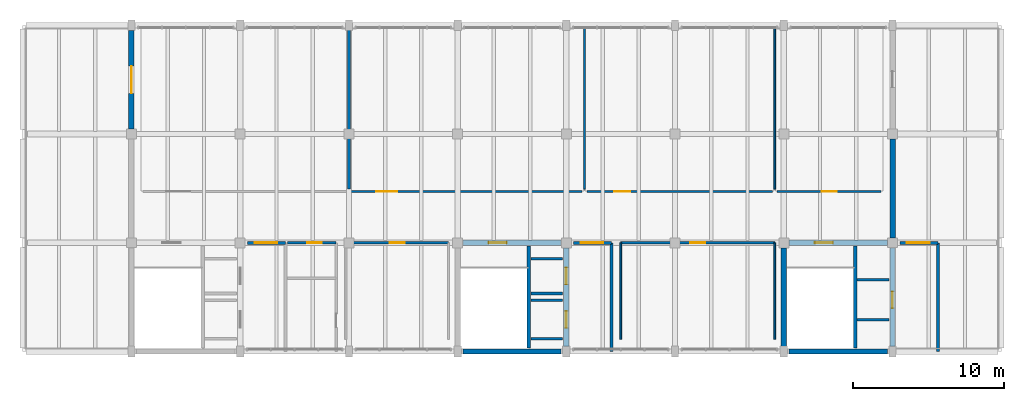
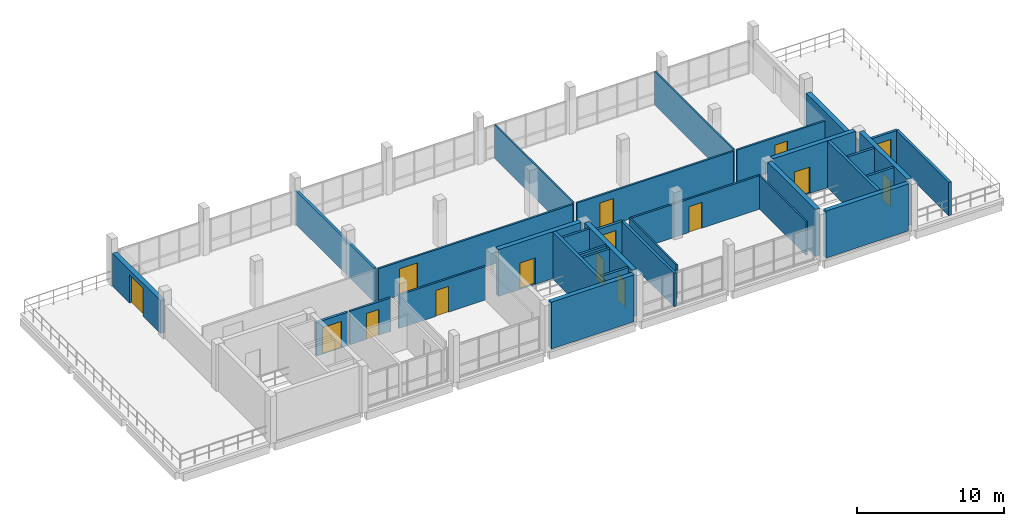
# One storey, part 8 of 10: 33 walls, 15 doors, 15 openings.
"""IFC4 building model written with IfcOpenShell, lengths in metres."""

from ifc_helpers import new_model, si_unit, direction, frame, frame_2d, origin, place, context, subcontext, project, spatial, rectangle, extrude, material, layer, layer_set, type_object, element, fill, save


model = new_model("IFC4")

# Units and contexts
model_context = context("Model", 3, precision=1e-05, world=origin(), true_north=direction((0.0, 1.0)))
body_context = subcontext(model_context, "Body", "Model", "MODEL_VIEW")
ifc_project = project(units=[si_unit("LENGTHUNIT", "METRE"), si_unit("AREAUNIT", "SQUARE_METRE"), si_unit("VOLUMEUNIT", "CUBIC_METRE"), si_unit("PLANEANGLEUNIT", "RADIAN"), si_unit("MASSUNIT", "GRAM", prefix="KILO")], contexts=[model_context])

# Site, building, storey
site_placement = place(None, origin())
site = spatial("IfcSite", under=ifc_project, at=site_placement, CompositionType="ELEMENT")
building_placement = place(site_placement, origin())
building = spatial("IfcBuilding", under=site, at=building_placement, Name="Qiaolan Assembly House", CompositionType="ELEMENT")
storey_placement = place(building_placement, frame((0.0, 0.0, 30.300048828125)))
storey = spatial("IfcBuildingStorey", under=building, at=storey_placement, Name="L07", CompositionType="ELEMENT", Elevation=30.300048828125)

# Wall
ifc_material_1 = material(Name="Concrete C40/50", Category="concrete")
ifc_layer_1 = layer(ifc_material_1, 0.35009765625)
ifc_layer_set_1 = layer_set([ifc_layer_1], Name="Concrete C40/50")
wall_type_1 = type_object("IfcWallType", Name="WAL-CORE-350", PredefinedType="SHEAR", material=ifc_layer_set_1)
wall_1_placement = place(storey_placement, frame((65.14990234375, 93.60009765625, 0.0), z_axis=(0.0, 0.0, 1.0), x_axis=(1.0, 0.0, 0.0)))
element("IfcWall", 1, at=wall_1_placement, inside=storey, type_object=wall_type_1, Name="CW-350 shear core wall CORE-B S L07", PredefinedType="SHEAR", context=body_context, shape_type="SweptSolid", body=[
    extrude(rectangle(XDim=6.5, YDim=0.35009765625, at=frame_2d((3.25, 0.0))), origin(), (0.0, 0.0, 1.0), 3.89990234375),
])

# Wall, openings, doors
wall_2_placement = place(storey_placement, frame((72.0, 93.949951171875, 0.0), z_axis=(0.0, 0.0, 1.0), x_axis=(0.0, 1.0, 0.0)))
wall_2 = element("IfcWall", 2, at=wall_2_placement, inside=storey, type_object=wall_type_1, Name="CW-350 shear core wall CORE-B E L07", PredefinedType="SHEAR", context=body_context, shape_type="SweptSolid", body=[
    extrude(rectangle(XDim=6.5, YDim=0.35009765625, at=frame_2d((3.25, 0.0))), origin(), (0.0, 0.0, 1.0), 3.89990234375),
])
opening_1_placement = place(wall_2_placement, frame((1.22509765625, 0.0, 0.0)))
opening_1 = element("IfcOpeningElement", 3, at=opening_1_placement, cuts=wall_2, Name="Opening LD-027", PredefinedType="OPENING", context=body_context, shape_type="SweptSolid", body=[
    extrude(rectangle(XDim=1.10009765625, YDim=2.199951171875, at=frame_2d((0.550048828125, 1.10009765625))), frame((0.0, 0.18505859375, 0.0), z_axis=(0.0, -1.0, 0.0), x_axis=(1.0, 0.0, 0.0)), (0.0, 0.0, 1.0), 0.3701171875),
])
opening_2_placement = place(wall_2_placement, frame((4.10009765625, 0.0, 0.0)))
opening_2 = element("IfcOpeningElement", 4, at=opening_2_placement, cuts=wall_2, Name="Opening LD-036", PredefinedType="OPENING", context=body_context, shape_type="SweptSolid", body=[
    extrude(rectangle(XDim=1.10009765625, YDim=2.199951171875, at=frame_2d((0.550048828125, 1.10009765625))), frame((0.0, 0.18505859375, 0.0), z_axis=(0.0, -1.0, 0.0), x_axis=(1.0, 0.0, 0.0)), (0.0, 0.0, 1.0), 0.3701171875),
])
ifc_material_2 = material(Name="Anodised bronze aluminium", Category="aluminium")
door_type_1 = type_object("IfcDoorType", Name="DOR-LIFT-LD1100", OperationType="SLIDING_TO_LEFT", PredefinedType="DOOR", material=ifc_material_2)
door_1_placement = place(opening_1_placement, origin())
door_1 = element("IfcDoor", 5, at=door_1_placement, inside=storey, type_object=door_type_1, Name="Lift landing door LD-027 (LF-03 L07)", OperationType="SLIDING_TO_LEFT", OverallHeight=2.199951171875, OverallWidth=1.10009765625, PredefinedType="DOOR", context=body_context, shape_type="SweptSolid", body=[
    extrude(rectangle(XDim=1.10009765625, YDim=2.199951171875, at=frame_2d((0.550048828125, 1.10009765625))), frame((0.0, 0.02490234375, 0.0), z_axis=(0.0, -1.0, 0.0), x_axis=(1.0, 0.0, 0.0)), (0.0, 0.0, 1.0), 0.050048828125),
])
fill(opening_1, door_1)
door_2_placement = place(opening_2_placement, origin())
door_2 = element("IfcDoor", 6, at=door_2_placement, inside=storey, type_object=door_type_1, Name="Lift landing door LD-036 (LF-04 L07)", OperationType="SLIDING_TO_LEFT", OverallHeight=2.199951171875, OverallWidth=1.10009765625, PredefinedType="DOOR", context=body_context, shape_type="SweptSolid", body=[
    extrude(rectangle(XDim=1.10009765625, YDim=2.199951171875, at=frame_2d((0.550048828125, 1.10009765625))), frame((0.0, 0.02490234375, 0.0), z_axis=(0.0, -1.0, 0.0), x_axis=(1.0, 0.0, 0.0)), (0.0, 0.0, 1.0), 0.050048828125),
])
fill(opening_2, door_2)

# Wall, opening, door
wall_3_placement = place(storey_placement, frame((71.64990234375, 100.800048828125, 0.0), z_axis=(0.0, 0.0, 1.0), x_axis=(-1.0, 0.0, 0.0)))
wall_3 = element("IfcWall", 7, at=wall_3_placement, inside=storey, type_object=wall_type_1, Name="CW-350 shear core wall CORE-B N L07", PredefinedType="SHEAR", context=body_context, shape_type="SweptSolid", body=[
    extrude(rectangle(XDim=6.5, YDim=0.35009765625, at=frame_2d((3.25, 0.0))), origin(), (0.0, 0.0, 1.0), 3.89990234375),
])
opening_3_placement = place(wall_3_placement, frame((3.60009765625, 0.0, 0.0)))
opening_3 = element("IfcOpeningElement", 8, at=opening_3_placement, cuts=wall_3, Name="Opening FD-051", PredefinedType="OPENING", context=body_context, shape_type="SweptSolid", body=[
    extrude(rectangle(XDim=1.199951171875, YDim=2.199951171875, at=frame_2d((0.60009765625, 1.10009765625))), frame((0.0, 0.18505859375, 0.0), z_axis=(0.0, -1.0, 0.0), x_axis=(1.0, 0.0, 0.0)), (0.0, 0.0, 1.0), 0.3701171875),
])
ifc_material_3 = material(Name="Steel Q355B", Category="steel")
door_type_2 = type_object("IfcDoorType", Name="DOR-FIRE-FD90-1200", OperationType="NOTDEFINED", PredefinedType="DOOR", material=ifc_material_3)
door_3_placement = place(opening_3_placement, frame((1.199951171875, 0.0, 0.0), z_axis=(0.0, 0.0, 1.0), x_axis=(-1.0, 0.0, 0.0)))
door_3 = element("IfcDoor", 9, at=door_3_placement, inside=storey, type_object=door_type_2, Name="Stairwell fire door FD-051 (CORE-B L07)", OperationType="SINGLE_SWING_LEFT", OverallHeight=2.199951171875, OverallWidth=1.199951171875, PredefinedType="DOOR", context=body_context, shape_type="SweptSolid", body=[
    extrude(rectangle(XDim=1.199951171875, YDim=2.199951171875, at=frame_2d((0.60009765625, 1.10009765625))), frame((0.0, 0.02490234375, 0.0), z_axis=(0.0, -1.0, 0.0), x_axis=(1.0, 0.0, 0.0)), (0.0, 0.0, 1.0), 0.050048828125),
])
fill(opening_3, door_3)

# Wall
wall_4_placement = place(storey_placement, frame((86.75, 93.60009765625, 0.0), z_axis=(0.0, 0.0, 1.0), x_axis=(1.0, 0.0, 0.0)))
element("IfcWall", 10, at=wall_4_placement, inside=storey, type_object=wall_type_1, Name="CW-350 shear core wall CORE-G S L07", PredefinedType="SHEAR", context=body_context, shape_type="SweptSolid", body=[
    extrude(rectangle(XDim=6.5, YDim=0.35009765625, at=frame_2d((3.25, 0.0))), origin(), (0.0, 0.0, 1.0), 3.89990234375),
])

# Wall, opening, door
wall_5_placement = place(storey_placement, frame((93.60009765625, 93.949951171875, 0.0), z_axis=(0.0, 0.0, 1.0), x_axis=(0.0, 1.0, 0.0)))
wall_5 = element("IfcWall", 11, at=wall_5_placement, inside=storey, type_object=wall_type_1, Name="CW-350 shear core wall CORE-G E L07", PredefinedType="SHEAR", context=body_context, shape_type="SweptSolid", body=[
    extrude(rectangle(XDim=6.5, YDim=0.35009765625, at=frame_2d((3.25, 0.0))), origin(), (0.0, 0.0, 1.0), 3.89990234375),
])
opening_4_placement = place(wall_5_placement, frame((2.52490234375, 0.0, 0.0)))
opening_4 = element("IfcOpeningElement", 12, at=opening_4_placement, cuts=wall_5, Name="Opening LD-045", PredefinedType="OPENING", context=body_context, shape_type="SweptSolid", body=[
    extrude(rectangle(XDim=1.10009765625, YDim=2.199951171875, at=frame_2d((0.550048828125, 1.10009765625))), frame((0.0, 0.18505859375, 0.0), z_axis=(0.0, -1.0, 0.0), x_axis=(1.0, 0.0, 0.0)), (0.0, 0.0, 1.0), 0.3701171875),
])
door_4_placement = place(opening_4_placement, origin())
door_4 = element("IfcDoor", 13, at=door_4_placement, inside=storey, type_object=door_type_1, Name="Lift landing door LD-045 (LF-05 L07)", OperationType="SLIDING_TO_LEFT", OverallHeight=2.199951171875, OverallWidth=1.10009765625, PredefinedType="DOOR", context=body_context, shape_type="SweptSolid", body=[
    extrude(rectangle(XDim=1.10009765625, YDim=2.199951171875, at=frame_2d((0.550048828125, 1.10009765625))), frame((0.0, 0.02490234375, 0.0), z_axis=(0.0, -1.0, 0.0), x_axis=(1.0, 0.0, 0.0)), (0.0, 0.0, 1.0), 0.050048828125),
])
fill(opening_4, door_4)

wall_6_placement = place(storey_placement, frame((93.25, 100.800048828125, 0.0), z_axis=(0.0, 0.0, 1.0), x_axis=(-1.0, 0.0, 0.0)))
wall_6 = element("IfcWall", 14, at=wall_6_placement, inside=storey, type_object=wall_type_1, Name="CW-350 shear core wall CORE-G N L07", PredefinedType="SHEAR", context=body_context, shape_type="SweptSolid", body=[
    extrude(rectangle(XDim=6.5, YDim=0.35009765625, at=frame_2d((3.25, 0.0))), origin(), (0.0, 0.0, 1.0), 3.89990234375),
])
opening_5_placement = place(wall_6_placement, frame((3.60009765625, 0.0, 0.0)))
opening_5 = element("IfcOpeningElement", 15, at=opening_5_placement, cuts=wall_6, Name="Opening FD-069", PredefinedType="OPENING", context=body_context, shape_type="SweptSolid", body=[
    extrude(rectangle(XDim=1.199951171875, YDim=2.199951171875, at=frame_2d((0.60009765625, 1.10009765625))), frame((0.0, 0.18505859375, 0.0), z_axis=(0.0, -1.0, 0.0), x_axis=(1.0, 0.0, 0.0)), (0.0, 0.0, 1.0), 0.3701171875),
])
door_5_placement = place(opening_5_placement, frame((1.199951171875, 0.0, 0.0), z_axis=(0.0, 0.0, 1.0), x_axis=(-1.0, 0.0, 0.0)))
door_5 = element("IfcDoor", 16, at=door_5_placement, inside=storey, type_object=door_type_2, Name="Stairwell fire door FD-069 (CORE-G L07)", OperationType="SINGLE_SWING_RIGHT", OverallHeight=2.199951171875, OverallWidth=1.199951171875, PredefinedType="DOOR", context=body_context, shape_type="SweptSolid", body=[
    extrude(rectangle(XDim=1.199951171875, YDim=2.199951171875, at=frame_2d((0.60009765625, 1.10009765625))), frame((0.0, 0.02490234375, 0.0), z_axis=(0.0, -1.0, 0.0), x_axis=(1.0, 0.0, 0.0)), (0.0, 0.0, 1.0), 0.050048828125),
])
fill(opening_5, door_5)

# Walls
wall_7_placement = place(storey_placement, frame((86.39990234375, 100.449951171875, 0.0), z_axis=(0.0, 0.0, 1.0), x_axis=(0.0, -1.0, 0.0)))
element("IfcWall", 17, at=wall_7_placement, inside=storey, type_object=wall_type_1, Name="CW-350 shear core wall CORE-G W L07", PredefinedType="SHEAR", context=body_context, shape_type="SweptSolid", body=[
    extrude(rectangle(XDim=6.5, YDim=0.35009765625, at=frame_2d((3.25, 0.0))), origin(), (0.0, 0.0, 1.0), 3.89990234375),
])
ifc_material_4 = material(Name="Honed pale limestone", Category="masonry")
ifc_layer_2 = layer(ifc_material_4, 0.360107421875)
ifc_layer_set_2 = layer_set([ifc_layer_2], Name="Honed pale limestone")
wall_type_2 = type_object("IfcWallType", Name="WAL-EXT-LIMESTONE-360", PredefinedType="SOLIDWALL", material=ifc_layer_set_2)
wall_8_placement = place(storey_placement, frame((93.60009765625, 107.677001953125, 0.0), z_axis=(0.0, 0.0, 1.0), x_axis=(0.0, -1.0, 0.0)))
element("IfcWall", 18, at=wall_8_placement, inside=storey, type_object=wall_type_2, Name="L07 Attic East terrace wall 2", PredefinedType="SOLIDWALL", context=body_context, shape_type="SweptSolid", body=[
    extrude(rectangle(XDim=6.553955078125, YDim=0.360107421875, at=frame_2d((3.27685546875, 0.0))), origin(), (0.0, 0.0, 1.0), 2.739990234375),
])

# Wall, opening, door
wall_9_placement = place(storey_placement, frame((43.199951171875, 108.322998046875, 0.0), z_axis=(0.0, 0.0, 1.0), x_axis=(0.0, 1.0, 0.0)))
wall_9 = element("IfcWall", 19, at=wall_9_placement, inside=storey, type_object=wall_type_2, Name="L07 Attic West terrace wall 3", PredefinedType="SOLIDWALL", context=body_context, shape_type="SweptSolid", body=[
    extrude(rectangle(XDim=6.52392578125, YDim=0.360107421875, at=frame_2d((3.261962890625, 0.0))), origin(), (0.0, 0.0, 1.0), 2.739990234375),
])
opening_6_placement = place(wall_9_placement, frame((2.376953125, 0.0, 0.0)))
opening_6 = element("IfcOpeningElement", 20, at=opening_6_placement, cuts=wall_9, Name="Opening TD-009", PredefinedType="OPENING", context=body_context, shape_type="SweptSolid", body=[
    extrude(rectangle(XDim=1.800048828125, YDim=2.35009765625, at=frame_2d((0.89990234375, 1.175048828125))), frame((0.0, 0.18994140625, 0.0), z_axis=(0.0, -1.0, 0.0), x_axis=(1.0, 0.0, 0.0)), (0.0, 0.0, 1.0), 0.380126953125),
])
door_type_3 = type_object("IfcDoorType", Name="DOR-TERR-GLZ-1800", OperationType="DOUBLE_DOOR_SINGLE_SWING", PredefinedType="DOOR", material=ifc_material_2)
door_6_placement = place(opening_6_placement, frame((1.800048828125, 0.0, 0.0), z_axis=(0.0, 0.0, 1.0), x_axis=(-1.0, 0.0, 0.0)))
door_6 = element("IfcDoor", 21, at=door_6_placement, inside=storey, type_object=door_type_3, Name="L07 West Terrace door TD-009", OperationType="DOUBLE_DOOR_SINGLE_SWING", OverallHeight=2.35009765625, OverallWidth=1.800048828125, PredefinedType="DOOR", context=body_context, shape_type="SweptSolid", body=[
    extrude(rectangle(XDim=1.800048828125, YDim=2.35009765625, at=frame_2d((0.89990234375, 1.175048828125))), frame((0.0, 0.02490234375, 0.0), z_axis=(0.0, -1.0, 0.0), x_axis=(1.0, 0.0, 0.0)), (0.0, 0.0, 1.0), 0.050048828125),
])
fill(opening_6, door_6)

ifc_material_5 = material(Name="Concrete C35/45", Category="concrete")
ifc_layer_3 = layer(ifc_material_5, 0.199951171875)
ifc_layer_set_3 = layer_set([ifc_layer_3], Name="Concrete C35/45")
wall_type_3 = type_object("IfcWallType", Name="WAL-LOBBY-200", PredefinedType="PARTITIONING", material=ifc_layer_set_3)
wall_10_placement = place(storey_placement, frame((53.39990234375, 100.800048828125, 0.0), z_axis=(0.0, 0.0, 1.0), x_axis=(-1.0, 0.0, 0.0)))
wall_10 = element("IfcWall", 22, at=wall_10_placement, inside=storey, type_object=wall_type_3, Name="Firefighting lift lobby north wall CORE-A L07", PredefinedType="PARTITIONING", context=body_context, shape_type="SweptSolid", body=[
    extrude(rectangle(XDim=2.52001953125, YDim=0.199951171875, at=frame_2d((1.260009765625, 0.0))), origin(), (0.0, 0.0, 1.0), 2.780029296875),
])
opening_7_placement = place(wall_10_placement, frame((0.550048828125, 0.0, 0.0)))
opening_7 = element("IfcOpeningElement", 23, at=opening_7_placement, cuts=wall_10, Name="Opening FD-032", PredefinedType="OPENING", context=body_context, shape_type="SweptSolid", body=[
    extrude(rectangle(XDim=1.5, YDim=2.199951171875, at=frame_2d((0.75, 1.10009765625))), frame((0.0, 0.10986328125, 0.0), z_axis=(0.0, -1.0, 0.0), x_axis=(1.0, 0.0, 0.0)), (0.0, 0.0, 1.0), 0.219970703125),
])
ifc_material_6 = material(Name="Acoustic oak panelling")
door_type_4 = type_object("IfcDoorType", Name="DOR-LOBBY-FD60-1500", OperationType="DOUBLE_DOOR_SINGLE_SWING", PredefinedType="DOOR", material=ifc_material_6)
door_7_placement = place(opening_7_placement, frame((1.5, 0.0, 0.0), z_axis=(0.0, 0.0, 1.0), x_axis=(-1.0, 0.0, 0.0)))
door_7 = element("IfcDoor", 24, at=door_7_placement, inside=storey, type_object=door_type_4, Name="Lobby corridor fire door FD-032", OperationType="DOUBLE_DOOR_SINGLE_SWING", OverallHeight=2.199951171875, OverallWidth=1.5, PredefinedType="DOOR", context=body_context, shape_type="SweptSolid", body=[
    extrude(rectangle(XDim=1.5, YDim=2.199951171875, at=frame_2d((0.75, 1.10009765625))), frame((0.0, 0.02490234375, 0.0), z_axis=(0.0, -1.0, 0.0), x_axis=(1.0, 0.0, 0.0)), (0.0, 0.0, 1.0), 0.050048828125),
])
fill(opening_7, door_7)

# Wall
wall_11_placement = place(storey_placement, frame((75.0, 93.60009765625, 0.0), z_axis=(0.0, 0.0, 1.0), x_axis=(0.0, 1.0, 0.0)))
element("IfcWall", 25, at=wall_11_placement, inside=storey, type_object=wall_type_3, Name="Firefighting lift lobby east wall CORE-B L07", PredefinedType="PARTITIONING", context=body_context, shape_type="SweptSolid", body=[
    extrude(rectangle(XDim=7.199951171875, YDim=0.199951171875, at=frame_2d((3.60009765625, 0.0))), origin(), (0.0, 0.0, 1.0), 2.780029296875),
])

# Wall, opening, door
wall_12_placement = place(storey_placement, frame((75.0, 100.800048828125, 0.0), z_axis=(0.0, 0.0, 1.0), x_axis=(-1.0, 0.0, 0.0)))
wall_12 = element("IfcWall", 26, at=wall_12_placement, inside=storey, type_object=wall_type_3, Name="Firefighting lift lobby north wall CORE-B L07", PredefinedType="PARTITIONING", context=body_context, shape_type="SweptSolid", body=[
    extrude(rectangle(XDim=2.52001953125, YDim=0.199951171875, at=frame_2d((1.260009765625, 0.0))), origin(), (0.0, 0.0, 1.0), 2.780029296875),
])
opening_8_placement = place(wall_12_placement, frame((0.550048828125, 0.0, 0.0)))
opening_8 = element("IfcOpeningElement", 27, at=opening_8_placement, cuts=wall_12, Name="Opening FD-052", PredefinedType="OPENING", context=body_context, shape_type="SweptSolid", body=[
    extrude(rectangle(XDim=1.5, YDim=2.199951171875, at=frame_2d((0.75, 1.10009765625))), frame((0.0, 0.10986328125, 0.0), z_axis=(0.0, -1.0, 0.0), x_axis=(1.0, 0.0, 0.0)), (0.0, 0.0, 1.0), 0.219970703125),
])
door_8_placement = place(opening_8_placement, frame((1.5, 0.0, 0.0), z_axis=(0.0, 0.0, 1.0), x_axis=(-1.0, 0.0, 0.0)))
door_8 = element("IfcDoor", 28, at=door_8_placement, inside=storey, type_object=door_type_4, Name="Lobby corridor fire door FD-052", OperationType="DOUBLE_DOOR_SINGLE_SWING", OverallHeight=2.199951171875, OverallWidth=1.5, PredefinedType="DOOR", context=body_context, shape_type="SweptSolid", body=[
    extrude(rectangle(XDim=1.5, YDim=2.199951171875, at=frame_2d((0.75, 1.10009765625))), frame((0.0, 0.02490234375, 0.0), z_axis=(0.0, -1.0, 0.0), x_axis=(1.0, 0.0, 0.0)), (0.0, 0.0, 1.0), 0.050048828125),
])
fill(opening_8, door_8)

# Wall
wall_13_placement = place(storey_placement, frame((96.60009765625, 93.60009765625, 0.0), z_axis=(0.0, 0.0, 1.0), x_axis=(0.0, 1.0, 0.0)))
element("IfcWall", 29, at=wall_13_placement, inside=storey, type_object=wall_type_3, Name="Firefighting lift lobby east wall CORE-G L07", PredefinedType="PARTITIONING", context=body_context, shape_type="SweptSolid", body=[
    extrude(rectangle(XDim=7.199951171875, YDim=0.199951171875, at=frame_2d((3.60009765625, 0.0))), origin(), (0.0, 0.0, 1.0), 2.780029296875),
])

# Wall, opening, door
wall_14_placement = place(storey_placement, frame((96.60009765625, 100.800048828125, 0.0), z_axis=(0.0, 0.0, 1.0), x_axis=(-1.0, 0.0, 0.0)))
wall_14 = element("IfcWall", 30, at=wall_14_placement, inside=storey, type_object=wall_type_3, Name="Firefighting lift lobby north wall CORE-G L07", PredefinedType="PARTITIONING", context=body_context, shape_type="SweptSolid", body=[
    extrude(rectangle(XDim=2.52001953125, YDim=0.199951171875, at=frame_2d((1.260009765625, 0.0))), origin(), (0.0, 0.0, 1.0), 2.780029296875),
])
opening_9_placement = place(wall_14_placement, frame((0.550048828125, 0.0, 0.0)))
opening_9 = element("IfcOpeningElement", 31, at=opening_9_placement, cuts=wall_14, Name="Opening FD-070", PredefinedType="OPENING", context=body_context, shape_type="SweptSolid", body=[
    extrude(rectangle(XDim=1.5, YDim=2.199951171875, at=frame_2d((0.75, 1.10009765625))), frame((0.0, 0.10986328125, 0.0), z_axis=(0.0, -1.0, 0.0), x_axis=(1.0, 0.0, 0.0)), (0.0, 0.0, 1.0), 0.219970703125),
])
door_9_placement = place(opening_9_placement, frame((1.5, 0.0, 0.0), z_axis=(0.0, 0.0, 1.0), x_axis=(-1.0, 0.0, 0.0)))
door_9 = element("IfcDoor", 32, at=door_9_placement, inside=storey, type_object=door_type_4, Name="Lobby corridor fire door FD-070", OperationType="DOUBLE_DOOR_SINGLE_SWING", OverallHeight=2.199951171875, OverallWidth=1.5, PredefinedType="DOOR", context=body_context, shape_type="SweptSolid", body=[
    extrude(rectangle(XDim=1.5, YDim=2.199951171875, at=frame_2d((0.75, 1.10009765625))), frame((0.0, 0.02490234375, 0.0), z_axis=(0.0, -1.0, 0.0), x_axis=(1.0, 0.0, 0.0)), (0.0, 0.0, 1.0), 0.050048828125),
])
fill(opening_9, door_9)

# Walls
ifc_material_7 = material(Name="Gypsum plasterboard partition")
ifc_layer_4 = layer(ifc_material_7, 0.1201171875)
ifc_layer_set_4 = layer_set([ifc_layer_4], Name="Gypsum plasterboard partition")
wall_type_4 = type_object("IfcWallType", Name="WAL-PART-120", PredefinedType="PARTITIONING", material=ifc_layer_set_4)
for number, where, z_axis, x_axis, name in (
    (33, (73.199951171875, 104.35009765625, 0.0), (0.0, 0.0, 1.0), (0.0, 1.0, 0.0), "Senior Secretariat & Chief Clerk Suite demising wall"),
    (34, (85.800048828125, 104.35009765625, 0.0), (0.0, 0.0, 1.0), (0.0, 1.0, 0.0), "Attic Terrace Hospitality Pantry demising wall"),
):
    element("IfcWall", number, at=place(storey_placement, frame(where, z_axis=z_axis, x_axis=x_axis)), inside=storey, type_object=wall_type_4, Name=name, PredefinedType="PARTITIONING", context=body_context, shape_type="SweptSolid", body=[
        extrude(rectangle(XDim=10.669921875, YDim=0.1201171875, at=frame_2d((5.3349609375, 0.0))), origin(), (0.0, 0.0, 1.0), 2.780029296875),
    ])
for number, where, z_axis, x_axis, name in (
    (35, (75.60009765625, 94.39990234375, 0.0), (0.0, 0.0, 1.0), (0.0, 1.0, 0.0), "Council Legal & Parliamentary Counsel Suite west wall"),
    (36, (85.800048828125, 100.800048828125, 0.0), (0.0, 0.0, 1.0), (0.0, -1.0, 0.0), "Council Legal & Parliamentary Counsel Suite east wall"),
):
    element("IfcWall", number, at=place(storey_placement, frame(where, z_axis=z_axis, x_axis=x_axis)), inside=storey, type_object=wall_type_4, Name=name, PredefinedType="PARTITIONING", context=body_context, shape_type="SweptSolid", body=[
        extrude(rectangle(XDim=6.400146484375, YDim=0.1201171875, at=frame_2d((3.2001953125, 0.0))), origin(), (0.0, 0.0, 1.0), 2.780029296875),
    ])

# Wall, opening, door
ifc_layer_5 = layer(ifc_material_7, 0.14990234375)
ifc_layer_set_5 = layer_set([ifc_layer_5], Name="Gypsum plasterboard partition")
wall_type_5 = type_object("IfcWallType", Name="WAL-PART-150", PredefinedType="PARTITIONING", material=ifc_layer_set_5)
wall_15_placement = place(storey_placement, frame((57.75, 104.199951171875, 0.0), z_axis=(0.0, 0.0, 1.0), x_axis=(1.0, 0.0, 0.0)))
wall_15 = element("IfcWall", 37, at=wall_15_placement, inside=storey, type_object=wall_type_5, Name="Civic Assembly Presidium Boardroom corridor wall", PredefinedType="PARTITIONING", context=body_context, shape_type="SweptSolid", body=[
    extrude(rectangle(XDim=15.300048828125, YDim=0.14990234375, at=frame_2d((7.64990234375, 0.0))), origin(), (0.0, 0.0, 1.0), 2.780029296875),
])
opening_10_placement = place(wall_15_placement, frame((1.64990234375, 0.0, 0.0)))
opening_10 = element("IfcOpeningElement", 38, at=opening_10_placement, cuts=wall_15, Name="Opening ND-230", PredefinedType="OPENING", context=body_context, shape_type="SweptSolid", body=[
    extrude(rectangle(XDim=1.39990234375, YDim=2.199951171875, at=frame_2d((0.699951171875, 1.10009765625))), frame((0.0, 0.0849609375, 0.0), z_axis=(0.0, -1.0, 0.0), x_axis=(1.0, 0.0, 0.0)), (0.0, 0.0, 1.0), 0.169921875),
])
door_type_5 = type_object("IfcDoorType", Name="DOR-ARCH-DBL-1400", OperationType="DOUBLE_DOOR_SINGLE_SWING", PredefinedType="DOOR", material=ifc_material_6)
door_10_placement = place(opening_10_placement, origin())
door_10 = element("IfcDoor", 39, at=door_10_placement, inside=storey, type_object=door_type_5, Name="Civic Assembly Presidium Boardroom door ND-230", OperationType="DOUBLE_DOOR_SINGLE_SWING", OverallHeight=2.199951171875, OverallWidth=1.39990234375, PredefinedType="DOOR", context=body_context, shape_type="SweptSolid", body=[
    extrude(rectangle(XDim=1.39990234375, YDim=2.199951171875, at=frame_2d((0.699951171875, 1.10009765625))), frame((0.0, 0.02490234375, 0.0), z_axis=(0.0, -1.0, 0.0), x_axis=(1.0, 0.0, 0.0)), (0.0, 0.0, 1.0), 0.050048828125),
])
fill(opening_10, door_10)

wall_16_placement = place(storey_placement, frame((73.35009765625, 104.199951171875, 0.0), z_axis=(0.0, 0.0, 1.0), x_axis=(1.0, 0.0, 0.0)))
wall_16 = element("IfcWall", 40, at=wall_16_placement, inside=storey, type_object=wall_type_5, Name="Senior Secretariat & Chief Clerk Suite corridor wall", PredefinedType="PARTITIONING", context=body_context, shape_type="SweptSolid", body=[
    extrude(rectangle(XDim=12.2998046875, YDim=0.14990234375, at=frame_2d((6.14990234375, 0.0))), origin(), (0.0, 0.0, 1.0), 2.780029296875),
])
opening_11_placement = place(wall_16_placement, frame((1.824951171875, 0.0, 0.0)))
opening_11 = element("IfcOpeningElement", 41, at=opening_11_placement, cuts=wall_16, Name="Opening ND-231", PredefinedType="OPENING", context=body_context, shape_type="SweptSolid", body=[
    extrude(rectangle(XDim=1.050048828125, YDim=2.14990234375, at=frame_2d((0.52490234375, 1.074951171875))), frame((0.0, 0.0849609375, 0.0), z_axis=(0.0, -1.0, 0.0), x_axis=(1.0, 0.0, 0.0)), (0.0, 0.0, 1.0), 0.169921875),
])
door_type_6 = type_object("IfcDoorType", Name="DOR-OFF-LRG-1050", OperationType="NOTDEFINED", PredefinedType="DOOR", material=ifc_material_6)
door_11_placement = place(opening_11_placement, origin())
door_11 = element("IfcDoor", 42, at=door_11_placement, inside=storey, type_object=door_type_6, Name="Senior Secretariat & Chief Clerk Suite door ND-231", OperationType="SINGLE_SWING_RIGHT", OverallHeight=2.14990234375, OverallWidth=1.050048828125, PredefinedType="DOOR", context=body_context, shape_type="SweptSolid", body=[
    extrude(rectangle(XDim=1.050048828125, YDim=2.14990234375, at=frame_2d((0.52490234375, 1.074951171875))), frame((0.0, 0.02490234375, 0.0), z_axis=(0.0, -1.0, 0.0), x_axis=(1.0, 0.0, 0.0)), (0.0, 0.0, 1.0), 0.050048828125),
])
fill(opening_11, door_11)

wall_17_placement = place(storey_placement, frame((85.949951171875, 104.199951171875, 0.0), z_axis=(0.0, 0.0, 1.0), x_axis=(1.0, 0.0, 0.0)))
wall_17 = element("IfcWall", 43, at=wall_17_placement, inside=storey, type_object=wall_type_5, Name="Attic Terrace Hospitality Pantry corridor wall", PredefinedType="PARTITIONING", context=body_context, shape_type="SweptSolid", body=[
    extrude(rectangle(XDim=6.900146484375, YDim=0.14990234375, at=frame_2d((3.4501953125, 0.0))), origin(), (0.0, 0.0, 1.0), 2.780029296875),
])
opening_12_placement = place(wall_17_placement, frame((2.949951171875, 0.0, 0.0)))
opening_12 = element("IfcOpeningElement", 44, at=opening_12_placement, cuts=wall_17, Name="Opening ND-232", PredefinedType="OPENING", context=body_context, shape_type="SweptSolid", body=[
    extrude(rectangle(XDim=1.0, YDim=2.14990234375, at=frame_2d((0.5, 1.074951171875))), frame((0.0, 0.0849609375, 0.0), z_axis=(0.0, -1.0, 0.0), x_axis=(1.0, 0.0, 0.0)), (0.0, 0.0, 1.0), 0.169921875),
])
door_type_7 = type_object("IfcDoorType", Name="DOR-OFF-SGL-1000", OperationType="NOTDEFINED", PredefinedType="DOOR", material=ifc_material_6)
door_12_placement = place(opening_12_placement, origin())
door_12 = element("IfcDoor", 45, at=door_12_placement, inside=storey, type_object=door_type_7, Name="Attic Terrace Hospitality Pantry door ND-232", OperationType="SINGLE_SWING_LEFT", OverallHeight=2.14990234375, OverallWidth=1.0, PredefinedType="DOOR", context=body_context, shape_type="SweptSolid", body=[
    extrude(rectangle(XDim=1.0, YDim=2.14990234375, at=frame_2d((0.5, 1.074951171875))), frame((0.0, 0.02490234375, 0.0), z_axis=(0.0, -1.0, 0.0), x_axis=(1.0, 0.0, 0.0)), (0.0, 0.0, 1.0), 0.050048828125),
])
fill(opening_12, door_12)

wall_18_placement = place(storey_placement, frame((64.199951171875, 100.800048828125, 0.0), z_axis=(0.0, 0.0, 1.0), x_axis=(-1.0, 0.0, 0.0)))
wall_18 = element("IfcWall", 46, at=wall_18_placement, inside=storey, type_object=wall_type_5, Name="Presidium Standing Committee Caucus Room corridor wall", PredefinedType="PARTITIONING", context=body_context, shape_type="SweptSolid", body=[
    extrude(rectangle(XDim=6.800048828125, YDim=0.14990234375, at=frame_2d((3.39990234375, 0.0))), origin(), (0.0, 0.0, 1.0), 2.780029296875),
])
opening_13_placement = place(wall_18_placement, frame((2.89990234375, 0.0, 0.0)))
opening_13 = element("IfcOpeningElement", 47, at=opening_13_placement, cuts=wall_18, Name="Opening SD-233", PredefinedType="OPENING", context=body_context, shape_type="SweptSolid", body=[
    extrude(rectangle(XDim=1.0, YDim=2.14990234375, at=frame_2d((0.5, 1.074951171875))), frame((0.0, 0.0849609375, 0.0), z_axis=(0.0, -1.0, 0.0), x_axis=(1.0, 0.0, 0.0)), (0.0, 0.0, 1.0), 0.169921875),
])
door_13_placement = place(opening_13_placement, origin())
door_13 = element("IfcDoor", 48, at=door_13_placement, inside=storey, type_object=door_type_7, Name="Presidium Standing Committee Caucus Room door SD-233", OperationType="SINGLE_SWING_RIGHT", OverallHeight=2.14990234375, OverallWidth=1.0, PredefinedType="DOOR", context=body_context, shape_type="SweptSolid", body=[
    extrude(rectangle(XDim=1.0, YDim=2.14990234375, at=frame_2d((0.5, 1.074951171875))), frame((0.0, 0.02490234375, 0.0), z_axis=(0.0, -1.0, 0.0), x_axis=(1.0, 0.0, 0.0)), (0.0, 0.0, 1.0), 0.050048828125),
])
fill(opening_13, door_13)

wall_19_placement = place(storey_placement, frame((85.800048828125, 100.800048828125, 0.0), z_axis=(0.0, 0.0, 1.0), x_axis=(-1.0, 0.0, 0.0)))
wall_19 = element("IfcWall", 49, at=wall_19_placement, inside=storey, type_object=wall_type_5, Name="Council Legal & Parliamentary Counsel Suite corridor wall", PredefinedType="PARTITIONING", context=body_context, shape_type="SweptSolid", body=[
    extrude(rectangle(XDim=10.199951171875, YDim=0.14990234375, at=frame_2d((5.10009765625, 0.0))), origin(), (0.0, 0.0, 1.0), 2.780029296875),
])
opening_14_placement = place(wall_19_placement, frame((4.60009765625, 0.0, 0.0)))
opening_14 = element("IfcOpeningElement", 50, at=opening_14_placement, cuts=wall_19, Name="Opening SD-234", PredefinedType="OPENING", context=body_context, shape_type="SweptSolid", body=[
    extrude(rectangle(XDim=1.0, YDim=2.14990234375, at=frame_2d((0.5, 1.074951171875))), frame((0.0, 0.0849609375, 0.0), z_axis=(0.0, -1.0, 0.0), x_axis=(1.0, 0.0, 0.0)), (0.0, 0.0, 1.0), 0.169921875),
])
door_14_placement = place(opening_14_placement, origin())
door_14 = element("IfcDoor", 51, at=door_14_placement, inside=storey, type_object=door_type_7, Name="Council Legal & Parliamentary Counsel Suite door SD-234", OperationType="SINGLE_SWING_LEFT", OverallHeight=2.14990234375, OverallWidth=1.0, PredefinedType="DOOR", context=body_context, shape_type="SweptSolid", body=[
    extrude(rectangle(XDim=1.0, YDim=2.14990234375, at=frame_2d((0.5, 1.074951171875))), frame((0.0, 0.02490234375, 0.0), z_axis=(0.0, -1.0, 0.0), x_axis=(1.0, 0.0, 0.0)), (0.0, 0.0, 1.0), 0.050048828125),
])
fill(opening_14, door_14)

# Walls
ifc_material_8 = material(Name="Gypsum acoustic stud wall")
ifc_layer_6 = layer(ifc_material_8, 0.2119140625)
ifc_layer_set_6 = layer_set([ifc_layer_6], Name="Gypsum acoustic stud wall")
wall_type_6 = type_object("IfcWallType", Name="WAL-PART-ACOUSTIC-200", PredefinedType="PARTITIONING", material=ifc_layer_set_6)
wall_20_placement = place(storey_placement, frame((57.60009765625, 104.35009765625, 0.0), z_axis=(0.0, 0.0, 1.0), x_axis=(0.0, 1.0, 0.0)))
element("IfcWall", 52, at=wall_20_placement, inside=storey, type_object=wall_type_6, Name="Civic Assembly Presidium Boardroom demising wall", PredefinedType="PARTITIONING", context=body_context, shape_type="SweptSolid", body=[
    extrude(rectangle(XDim=10.669921875, YDim=0.2119140625, at=frame_2d((5.3349609375, 0.0))), origin(), (0.0, 0.0, 1.0), 2.780029296875),
])
ifc_layer_7 = layer(ifc_material_5, 0.18505859375)
ifc_layer_set_7 = layer_set([ifc_layer_7], Name="Concrete C35/45")
wall_type_7 = type_object("IfcWallType", Name="WAL-SHAFT-200", PredefinedType="PARTITIONING", material=ifc_layer_set_7)
for number, where, z_axis, x_axis, name in (
    (53, (69.64990234375, 94.449951171875, 0.0), (0.0, 0.0, 1.0), (1.0, 0.0, 0.0), "SW-200 lift shaft wall LF-03 L07 DIVS"),
    (54, (69.64990234375, 97.0, 0.0), (0.0, 0.0, 1.0), (1.0, 0.0, 0.0), "SW-200 lift shaft wall LF-03 L07 DIVN"),
    (55, (69.64990234375, 97.449951171875, 0.0), (0.0, 0.0, 1.0), (1.0, 0.0, 0.0), "SW-200 lift shaft wall LF-04 L07 DIVS"),
    (56, (69.64990234375, 99.75, 0.0), (0.0, 0.0, 1.0), (1.0, 0.0, 0.0), "SW-200 lift shaft wall LF-04 L07 DIVN"),
    (57, (91.25, 95.699951171875, 0.0), (0.0, 0.0, 1.0), (1.0, 0.0, 0.0), "SW-200 lift shaft wall LF-05 L07 DIVS"),
    (58, (91.25, 98.35009765625, 0.0), (0.0, 0.0, 1.0), (1.0, 0.0, 0.0), "SW-200 lift shaft wall LF-05 L07 DIVN"),
):
    element("IfcWall", number, at=place(storey_placement, frame(where, z_axis=z_axis, x_axis=x_axis)), inside=storey, type_object=wall_type_7, Name=name, PredefinedType="PARTITIONING", context=body_context, shape_type="SweptSolid", body=[
        extrude(rectangle(XDim=2.10009765625, YDim=0.18505859375, at=frame_2d((1.050048828125, 0.0))), origin(), (0.0, 0.0, 1.0), 3.89990234375),
    ])
ifc_layer_8 = layer(ifc_material_1, 0.22509765625)
ifc_layer_set_8 = layer_set([ifc_layer_8], Name="Concrete C40/50")
wall_type_8 = type_object("IfcWallType", Name="WAL-STAIR-DIV-225", PredefinedType="SHEAR", material=ifc_layer_set_8)
for number, where, z_axis, x_axis, name in (
    (59, (69.52001953125, 93.820068359375, 0.0), (0.0, 0.0, 1.0), (0.0, 1.0, 0.0), "SDW-225 stairwell structural spine wall CORE-B L07"),
    (60, (91.1201171875, 93.820068359375, 0.0), (0.0, 0.0, 1.0), (0.0, 1.0, 0.0), "SDW-225 stairwell structural spine wall CORE-G L07"),
):
    element("IfcWall", number, at=place(storey_placement, frame(where, z_axis=z_axis, x_axis=x_axis)), inside=storey, type_object=wall_type_8, Name=name, PredefinedType="SHEAR", context=body_context, shape_type="SweptSolid", body=[
        extrude(rectangle(XDim=6.760009765625, YDim=0.22509765625, at=frame_2d((3.3798828125, 0.0))), origin(), (0.0, 0.0, 1.0), 3.89990234375),
    ])

# Wall, opening, door
ifc_material_9 = material(Name="Concrete C30/37", Category="concrete")
ifc_layer_9 = layer(ifc_material_9, 0.1650390625)
ifc_layer_set_9 = layer_set([ifc_layer_9], Name="Concrete C30/37")
wall_type_9 = type_object("IfcWallType", Name="WAL-WET-150", PredefinedType="PARTITIONING", material=ifc_layer_set_9)
wall_21_placement = place(storey_placement, frame((56.75, 100.800048828125, 0.0), z_axis=(0.0, 0.0, 1.0), x_axis=(-1.0, 0.0, 0.0)))
wall_21 = element("IfcWall", 61, at=wall_21_placement, inside=storey, type_object=wall_type_9, Name="Accessible WC corridor wall CORE-A L07", PredefinedType="PARTITIONING", context=body_context, shape_type="SweptSolid", body=[
    extrude(rectangle(XDim=3.199951171875, YDim=0.1650390625, at=frame_2d((1.60009765625, 0.0))), origin(), (0.0, 0.0, 1.0), 2.780029296875),
])
opening_15_placement = place(wall_21_placement, frame((0.949951171875, 0.0, 0.0)))
opening_15 = element("IfcOpeningElement", 62, at=opening_15_placement, cuts=wall_21, Name="Opening AD-034", PredefinedType="OPENING", context=body_context, shape_type="SweptSolid", body=[
    extrude(rectangle(XDim=0.949951171875, YDim=2.14990234375, at=frame_2d((0.47509765625, 1.074951171875))), frame((0.0, 0.092529296875, 0.0), z_axis=(0.0, -1.0, 0.0), x_axis=(1.0, 0.0, 0.0)), (0.0, 0.0, 1.0), 0.18505859375),
])
door_type_8 = type_object("IfcDoorType", Name="DOR-ACC-WC-950", OperationType="NOTDEFINED", PredefinedType="DOOR", material=ifc_material_6)
door_15_placement = place(opening_15_placement, origin())
door_15 = element("IfcDoor", 63, at=door_15_placement, inside=storey, type_object=door_type_8, Name="Accessible Restroom door AD-034", OperationType="SINGLE_SWING_RIGHT", OverallHeight=2.14990234375, OverallWidth=0.949951171875, PredefinedType="DOOR", context=body_context, shape_type="SweptSolid", body=[
    extrude(rectangle(XDim=0.949951171875, YDim=2.14990234375, at=frame_2d((0.47509765625, 1.074951171875))), frame((0.0, 0.02490234375, 0.0), z_axis=(0.0, -1.0, 0.0), x_axis=(1.0, 0.0, 0.0)), (0.0, 0.0, 1.0), 0.050048828125),
])
fill(opening_15, door_15)

save(model, "model.ifc")
